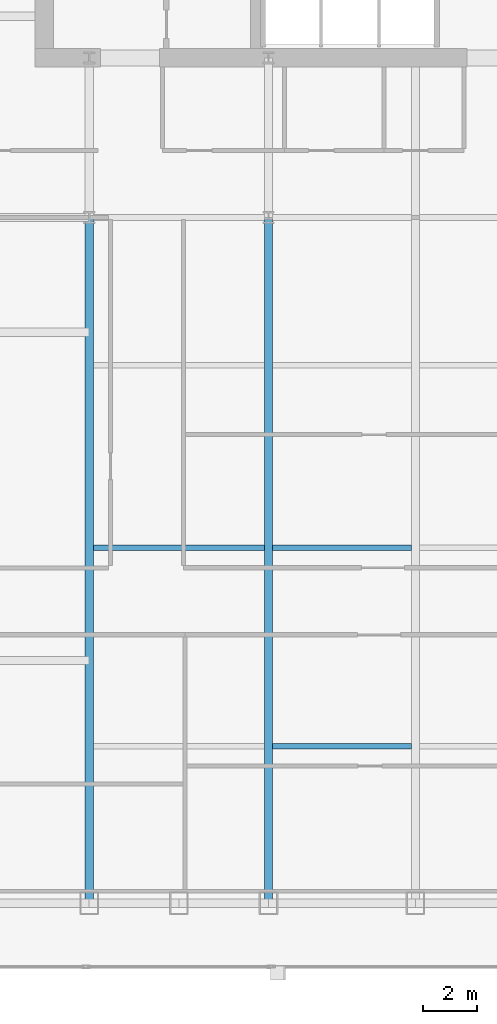
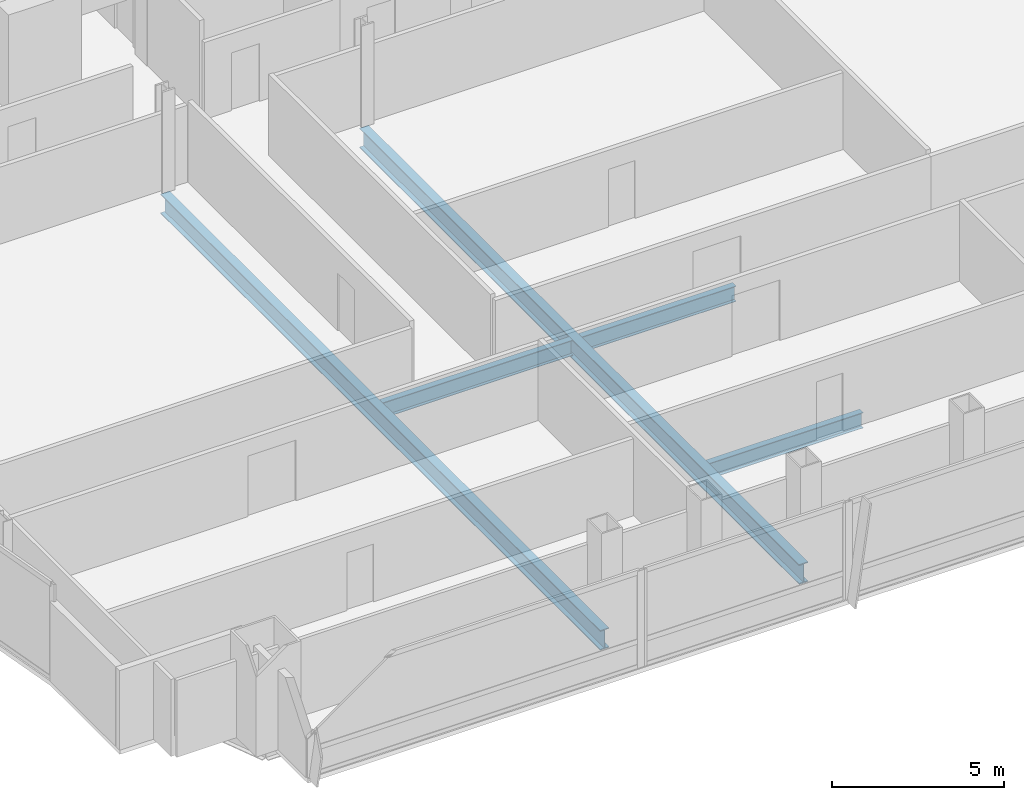
# One storey, part 9 of 31: 5 beams.
"""IFC4 building model written with IfcOpenShell, lengths in metres."""

from ifc_helpers import new_model, si_unit, direction, frame, origin, origin_2d, place, context, subcontext, project, spatial, i_section, extrude, material, material_profile, profile_set, type_object, element, save


model = new_model("IFC4")

# Units and contexts
model_context = context("Model", 3, precision=1e-05, world=origin(), true_north=direction((0.0, 1.0)))
body_context = subcontext(model_context, "Body", "Model", "MODEL_VIEW")
ifc_project = project(units=[si_unit("LENGTHUNIT", "METRE"), si_unit("AREAUNIT", "SQUARE_METRE"), si_unit("VOLUMEUNIT", "CUBIC_METRE"), si_unit("PLANEANGLEUNIT", "RADIAN"), si_unit("MASSUNIT", "GRAM", prefix="KILO")], contexts=[model_context])

# Site, building, storey
site_placement = place(None, origin())
site = spatial("IfcSite", under=ifc_project, at=site_placement, CompositionType="ELEMENT")
building_placement = place(site_placement, origin())
building = spatial("IfcBuilding", under=site, at=building_placement, Name="Khoronbel Lancet Exchange", CompositionType="ELEMENT")
storey_placement = place(building_placement, frame((0.0, 0.0, 121.800048828125)))
storey = spatial("IfcBuildingStorey", under=building, at=storey_placement, Name="L29", CompositionType="ELEMENT", Elevation=121.800048828125)

# Beams
ifc_material = material(Name="Steel S355", Category="steel")
ifc_material_profile_1 = material_profile(ifc_material, i_section(OverallWidth=0.300048828125, OverallDepth=0.699951171875, WebThickness=0.01708984375, FlangeThickness=0.031982421875, at=origin_2d()), Name="HEB 700")
ifc_profile_set_1 = profile_set([ifc_material_profile_1], Name="Steel S355")
beam_type_1 = type_object("IfcBeamType", Name="BM-BG3", PredefinedType="BEAM", material=ifc_profile_set_1)
for number, where, z_axis, x_axis, name in (
    (1, (18.22509765625, 10.14990234375, -0.510009765625), (0.0, 1.0, 0.0), (-1.0, 0.0, 0.0), "Level L29 south primary girder GS1"),
    (2, (24.89990234375, 10.14990234375, -0.510009765625), (0.0, 1.0, 0.0), (-1.0, 0.0, 0.0), "Level L29 south primary girder GS2"),
):
    element("IfcBeam", number, at=place(storey_placement, frame(where, z_axis=z_axis, x_axis=x_axis)), inside=storey, type_object=beam_type_1, Name=name, PredefinedType="BEAM", context=body_context, shape_type="SweptSolid", body=[
        extrude(i_section(OverallWidth=0.300048828125, OverallDepth=0.699951171875, WebThickness=0.01708984375, FlangeThickness=0.031982421875, at=origin_2d()), origin(), (0.0, 0.0, 1.0), 25.550048828125),
    ])
ifc_material_profile_2 = material_profile(ifc_material, i_section(OverallWidth=0.2099609375, OverallDepth=0.550048828125, WebThickness=0.010986328125, FlangeThickness=0.01708984375, at=origin_2d()), Name="IPE 550")
ifc_profile_set_2 = profile_set([ifc_material_profile_2], Name="Steel S355")
beam_type_2 = type_object("IfcBeamType", Name="BM-BJ2", PredefinedType="JOIST", material=ifc_profile_set_2)
beam_1_placement = place(storey_placement, frame((25.050048828125, 16.0, -0.43505859375), z_axis=(1.0, 0.0, 0.0), x_axis=(0.0, 1.0, 0.0)))
element("IfcBeam", 3, at=beam_1_placement, inside=storey, type_object=beam_type_2, Name="Level L29 secondary composite joist J02", PredefinedType="JOIST", context=body_context, shape_type="SweptSolid", body=[
    extrude(i_section(OverallWidth=0.2099609375, OverallDepth=0.550048828125, WebThickness=0.010986328125, FlangeThickness=0.01708984375, at=origin_2d()), origin(), (0.0, 0.0, 1.0), 5.175048828125),
])
beam_2_placement = place(storey_placement, frame((18.375, 23.39990234375, -0.43505859375), z_axis=(1.0, 0.0, 0.0), x_axis=(0.0, 1.0, 0.0)))
element("IfcBeam", 4, at=beam_2_placement, inside=storey, type_object=beam_type_2, Name="Level L29 secondary composite joist J06", PredefinedType="JOIST", context=body_context, shape_type="SweptSolid", body=[
    extrude(i_section(OverallWidth=0.2099609375, OverallDepth=0.550048828125, WebThickness=0.010986328125, FlangeThickness=0.01708984375, at=origin_2d()), origin(), (0.0, 0.0, 1.0), 6.375),
])
beam_3_placement = place(storey_placement, frame((25.050048828125, 23.39990234375, -0.43505859375), z_axis=(1.0, 0.0, 0.0), x_axis=(0.0, 1.0, 0.0)))
element("IfcBeam", 5, at=beam_3_placement, inside=storey, type_object=beam_type_2, Name="Level L29 secondary composite joist J07", PredefinedType="JOIST", context=body_context, shape_type="SweptSolid", body=[
    extrude(i_section(OverallWidth=0.2099609375, OverallDepth=0.550048828125, WebThickness=0.010986328125, FlangeThickness=0.01708984375, at=origin_2d()), origin(), (0.0, 0.0, 1.0), 5.175048828125),
])

save(model, "model.ifc")
